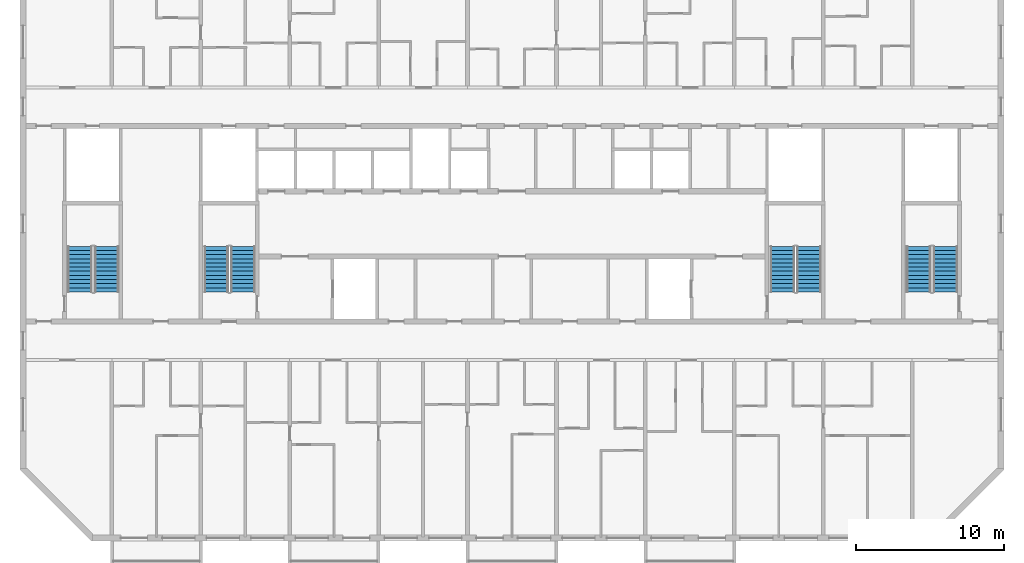
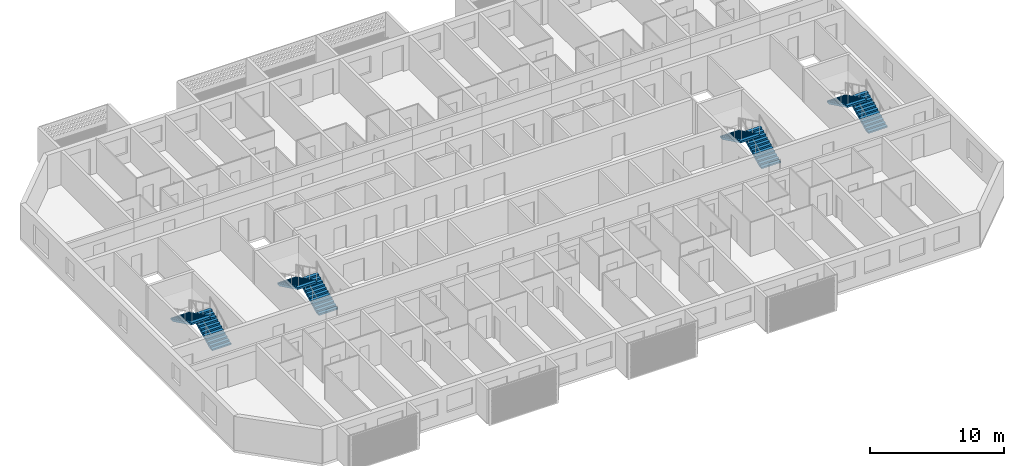
# One storey, part 12 of 29: 8 stair flights, 4 elements without a shape of their own.
"""IFC4 building model written with IfcOpenShell, lengths in metres."""

from ifc_helpers import new_model, si_unit, direction, frame, origin, place, context, subcontext, project, spatial, polyline, outline, extrude, material, layer, layer_set, type_object, element, aggregate, save


model = new_model("IFC4")

# Units and contexts
model_context = context("Model", 3, precision=1e-05, world=origin(), true_north=direction((0.0, 1.0)))
body_context = subcontext(model_context, "Body", "Model", "MODEL_VIEW")
ifc_project = project(units=[si_unit("LENGTHUNIT", "METRE"), si_unit("AREAUNIT", "SQUARE_METRE"), si_unit("VOLUMEUNIT", "CUBIC_METRE"), si_unit("PLANEANGLEUNIT", "RADIAN"), si_unit("MASSUNIT", "GRAM", prefix="KILO")], contexts=[model_context])

# Site, building, storey
site_placement = place(None, origin())
site = spatial("IfcSite", under=ifc_project, at=site_placement, CompositionType="ELEMENT")
building_placement = place(site_placement, origin())
building = spatial("IfcBuilding", under=site, at=building_placement, Name="Poui Terraces", CompositionType="ELEMENT")
storey_placement = place(building_placement, frame((0.0, 0.0, 231.300048828125)))
storey = spatial("IfcBuildingStorey", under=building, at=storey_placement, Name="L64", CompositionType="ELEMENT", Elevation=231.300048828125)

# Stair, stair flights
ifc_material = material(Name="Concrete 50 MPa", Category="concrete")
stair_type = type_object("IfcStairType", Name="EXIT STAIR 1650 50 MPA", PredefinedType="HALF_TURN_STAIR", material=ifc_material)
stair_1_placement = place(storey_placement, origin())
stair_1 = element("IfcStair", 1, at=stair_1_placement, inside=storey, type_object=stair_type, Name="L64 CORE STAIR EAST", PredefinedType="HALF_TURN_STAIR")
ifc_layer = layer(ifc_material, 0.14990234375)
ifc_layer_set = layer_set([ifc_layer], Name="Concrete 50 MPa")
stair_flight_type = type_object("IfcStairFlightType", Name="STAIR FLIGHT 12 RISERS 138 RISE 50 MPA", PredefinedType="STRAIGHT", material=ifc_layer_set)
stair_flight_1_placement = place(storey_placement, frame((71.050048828125, 16.60009765625, 0.0), z_axis=(0.0, 0.0, 1.0), x_axis=(0.0, 1.0, 0.0)))
stair_flight_1 = element("IfcStairFlight", 2, at=stair_flight_1_placement, type_object=stair_flight_type, Name="ST-CE flight 1", NumberOfRisers=12, NumberOfTreads=11, PredefinedType="STRAIGHT", RiserHeight=0.1375, TreadLength=0.28, context=body_context, shape_type="SweptSolid", body=[
    extrude(outline(polyline([(0.0, 0.0), (0.0, 0.137451171875), (0.280029296875, 0.137451171875), (0.280029296875, 0.27490234375), (0.56005859375, 0.27490234375), (0.56005859375, 0.41259765625), (0.840087890625, 0.41259765625), (0.840087890625, 0.550048828125), (1.1201171875, 0.550048828125), (1.1201171875, 0.6875), (1.39990234375, 0.6875), (1.39990234375, 0.824951171875), (1.679931640625, 0.824951171875), (1.679931640625, 0.96240234375), (1.9599609375, 0.96240234375), (1.9599609375, 1.10009765625), (2.239990234375, 1.10009765625), (2.239990234375, 1.237548828125), (2.52001953125, 1.237548828125), (2.52001953125, 1.375), (2.800048828125, 1.375), (2.800048828125, 1.512451171875), (3.080078125, 1.512451171875), (3.080078125, 1.64990234375), (3.080078125, 1.345458984375), (0.340087890625, 0.0), (0.0, 0.0)])), frame((0.0, 0.824951171875, 0.0), z_axis=(0.0, -1.0, 0.0), x_axis=(1.0, 0.0, 0.0)), (0.0, 0.0, 1.0), 1.64990234375),
])
stair_flight_2_placement = place(storey_placement, frame((69.25, 19.679931640625, 1.64990234375), z_axis=(0.0, 0.0, 1.0), x_axis=(0.0, -1.0, 0.0)))
stair_flight_2 = element("IfcStairFlight", 3, at=stair_flight_2_placement, type_object=stair_flight_type, Name="ST-CE flight 2", NumberOfRisers=12, NumberOfTreads=11, PredefinedType="STRAIGHT", RiserHeight=0.1375, TreadLength=0.28, context=body_context, shape_type="SweptSolid", body=[
    extrude(outline(polyline([(0.0, 0.0), (0.0, 0.137451171875), (0.280029296875, 0.137451171875), (0.280029296875, 0.27490234375), (0.56005859375, 0.27490234375), (0.56005859375, 0.41259765625), (0.840087890625, 0.41259765625), (0.840087890625, 0.550048828125), (1.1201171875, 0.550048828125), (1.1201171875, 0.6875), (1.39990234375, 0.6875), (1.39990234375, 0.824951171875), (1.679931640625, 0.824951171875), (1.679931640625, 0.96240234375), (1.9599609375, 0.96240234375), (1.9599609375, 1.10009765625), (2.239990234375, 1.10009765625), (2.239990234375, 1.237548828125), (2.52001953125, 1.237548828125), (2.52001953125, 1.375), (2.800048828125, 1.375), (2.800048828125, 1.512451171875), (3.080078125, 1.512451171875), (3.080078125, 1.64990234375), (3.080078125, 1.345458984375), (0.340087890625, 0.0), (0.0, 0.0)])), frame((0.0, 0.824951171875, 0.0), z_axis=(0.0, -1.0, 0.0), x_axis=(1.0, 0.0, 0.0)), (0.0, 0.0, 1.0), 1.64990234375),
])
aggregate(stair_1, [stair_flight_1, stair_flight_2])

stair_2_placement = place(storey_placement, origin())
stair_2 = element("IfcStair", 4, at=stair_2_placement, inside=storey, type_object=stair_type, Name="L64 CORE STAIR WEST", PredefinedType="HALF_TURN_STAIR")
stair_flight_3_placement = place(storey_placement, frame((32.85009765625, 16.60009765625, 0.0), z_axis=(0.0, 0.0, 1.0), x_axis=(0.0, 1.0, 0.0)))
stair_flight_3 = element("IfcStairFlight", 5, at=stair_flight_3_placement, type_object=stair_flight_type, Name="ST-CW flight 1", NumberOfRisers=12, NumberOfTreads=11, PredefinedType="STRAIGHT", RiserHeight=0.1375, TreadLength=0.28, context=body_context, shape_type="SweptSolid", body=[
    extrude(outline(polyline([(0.0, 0.0), (0.0, 0.137451171875), (0.280029296875, 0.137451171875), (0.280029296875, 0.27490234375), (0.56005859375, 0.27490234375), (0.56005859375, 0.41259765625), (0.840087890625, 0.41259765625), (0.840087890625, 0.550048828125), (1.1201171875, 0.550048828125), (1.1201171875, 0.6875), (1.39990234375, 0.6875), (1.39990234375, 0.824951171875), (1.679931640625, 0.824951171875), (1.679931640625, 0.96240234375), (1.9599609375, 0.96240234375), (1.9599609375, 1.10009765625), (2.239990234375, 1.10009765625), (2.239990234375, 1.237548828125), (2.52001953125, 1.237548828125), (2.52001953125, 1.375), (2.800048828125, 1.375), (2.800048828125, 1.512451171875), (3.080078125, 1.512451171875), (3.080078125, 1.64990234375), (3.080078125, 1.345458984375), (0.340087890625, 0.0), (0.0, 0.0)])), frame((0.0, 0.824951171875, 0.0), z_axis=(0.0, -1.0, 0.0), x_axis=(1.0, 0.0, 0.0)), (0.0, 0.0, 1.0), 1.64990234375),
])
stair_flight_4_placement = place(storey_placement, frame((31.050048828125, 19.679931640625, 1.64990234375), z_axis=(0.0, 0.0, 1.0), x_axis=(0.0, -1.0, 0.0)))
stair_flight_4 = element("IfcStairFlight", 6, at=stair_flight_4_placement, type_object=stair_flight_type, Name="ST-CW flight 2", NumberOfRisers=12, NumberOfTreads=11, PredefinedType="STRAIGHT", RiserHeight=0.1375, TreadLength=0.28, context=body_context, shape_type="SweptSolid", body=[
    extrude(outline(polyline([(0.0, 0.0), (0.0, 0.137451171875), (0.280029296875, 0.137451171875), (0.280029296875, 0.27490234375), (0.56005859375, 0.27490234375), (0.56005859375, 0.41259765625), (0.840087890625, 0.41259765625), (0.840087890625, 0.550048828125), (1.1201171875, 0.550048828125), (1.1201171875, 0.6875), (1.39990234375, 0.6875), (1.39990234375, 0.824951171875), (1.679931640625, 0.824951171875), (1.679931640625, 0.96240234375), (1.9599609375, 0.96240234375), (1.9599609375, 1.10009765625), (2.239990234375, 1.10009765625), (2.239990234375, 1.237548828125), (2.52001953125, 1.237548828125), (2.52001953125, 1.375), (2.800048828125, 1.375), (2.800048828125, 1.512451171875), (3.080078125, 1.512451171875), (3.080078125, 1.64990234375), (3.080078125, 1.345458984375), (0.340087890625, 0.0), (0.0, 0.0)])), frame((0.0, 0.824951171875, 0.0), z_axis=(0.0, -1.0, 0.0), x_axis=(1.0, 0.0, 0.0)), (0.0, 0.0, 1.0), 1.64990234375),
])
aggregate(stair_2, [stair_flight_3, stair_flight_4])

stair_3_placement = place(storey_placement, origin())
stair_3 = element("IfcStair", 7, at=stair_3_placement, inside=storey, type_object=stair_type, Name="L64 TIP STAIR EAST", PredefinedType="HALF_TURN_STAIR")
stair_flight_5_placement = place(storey_placement, frame((80.25, 16.60009765625, 0.0), z_axis=(0.0, 0.0, 1.0), x_axis=(0.0, 1.0, 0.0)))
stair_flight_5 = element("IfcStairFlight", 8, at=stair_flight_5_placement, type_object=stair_flight_type, Name="ST-E flight 1", NumberOfRisers=12, NumberOfTreads=11, PredefinedType="STRAIGHT", RiserHeight=0.1375, TreadLength=0.28, context=body_context, shape_type="SweptSolid", body=[
    extrude(outline(polyline([(0.0, 0.0), (0.0, 0.137451171875), (0.280029296875, 0.137451171875), (0.280029296875, 0.27490234375), (0.56005859375, 0.27490234375), (0.56005859375, 0.41259765625), (0.840087890625, 0.41259765625), (0.840087890625, 0.550048828125), (1.1201171875, 0.550048828125), (1.1201171875, 0.6875), (1.39990234375, 0.6875), (1.39990234375, 0.824951171875), (1.679931640625, 0.824951171875), (1.679931640625, 0.96240234375), (1.9599609375, 0.96240234375), (1.9599609375, 1.10009765625), (2.239990234375, 1.10009765625), (2.239990234375, 1.237548828125), (2.52001953125, 1.237548828125), (2.52001953125, 1.375), (2.800048828125, 1.375), (2.800048828125, 1.512451171875), (3.080078125, 1.512451171875), (3.080078125, 1.64990234375), (3.080078125, 1.345458984375), (0.340087890625, 0.0), (0.0, 0.0)])), frame((0.0, 0.824951171875, 0.0), z_axis=(0.0, -1.0, 0.0), x_axis=(1.0, 0.0, 0.0)), (0.0, 0.0, 1.0), 1.64990234375),
])
stair_flight_6_placement = place(storey_placement, frame((78.449951171875, 19.679931640625, 1.64990234375), z_axis=(0.0, 0.0, 1.0), x_axis=(0.0, -1.0, 0.0)))
stair_flight_6 = element("IfcStairFlight", 9, at=stair_flight_6_placement, type_object=stair_flight_type, Name="ST-E flight 2", NumberOfRisers=12, NumberOfTreads=11, PredefinedType="STRAIGHT", RiserHeight=0.1375, TreadLength=0.28, context=body_context, shape_type="SweptSolid", body=[
    extrude(outline(polyline([(0.0, 0.0), (0.0, 0.137451171875), (0.280029296875, 0.137451171875), (0.280029296875, 0.27490234375), (0.56005859375, 0.27490234375), (0.56005859375, 0.41259765625), (0.840087890625, 0.41259765625), (0.840087890625, 0.550048828125), (1.1201171875, 0.550048828125), (1.1201171875, 0.6875), (1.39990234375, 0.6875), (1.39990234375, 0.824951171875), (1.679931640625, 0.824951171875), (1.679931640625, 0.96240234375), (1.9599609375, 0.96240234375), (1.9599609375, 1.10009765625), (2.239990234375, 1.10009765625), (2.239990234375, 1.237548828125), (2.52001953125, 1.237548828125), (2.52001953125, 1.375), (2.800048828125, 1.375), (2.800048828125, 1.512451171875), (3.080078125, 1.512451171875), (3.080078125, 1.64990234375), (3.080078125, 1.345458984375), (0.340087890625, 0.0), (0.0, 0.0)])), frame((0.0, 0.824951171875, 0.0), z_axis=(0.0, -1.0, 0.0), x_axis=(1.0, 0.0, 0.0)), (0.0, 0.0, 1.0), 1.64990234375),
])
aggregate(stair_3, [stair_flight_5, stair_flight_6])

stair_4_placement = place(storey_placement, origin())
stair_4 = element("IfcStair", 10, at=stair_4_placement, inside=storey, type_object=stair_type, Name="L64 TIP STAIR WEST", PredefinedType="HALF_TURN_STAIR")
stair_flight_7_placement = place(storey_placement, frame((23.64990234375, 16.60009765625, 0.0), z_axis=(0.0, 0.0, 1.0), x_axis=(0.0, 1.0, 0.0)))
stair_flight_7 = element("IfcStairFlight", 11, at=stair_flight_7_placement, type_object=stair_flight_type, Name="ST-W flight 1", NumberOfRisers=12, NumberOfTreads=11, PredefinedType="STRAIGHT", RiserHeight=0.1375, TreadLength=0.28, context=body_context, shape_type="SweptSolid", body=[
    extrude(outline(polyline([(0.0, 0.0), (0.0, 0.137451171875), (0.280029296875, 0.137451171875), (0.280029296875, 0.27490234375), (0.56005859375, 0.27490234375), (0.56005859375, 0.41259765625), (0.840087890625, 0.41259765625), (0.840087890625, 0.550048828125), (1.1201171875, 0.550048828125), (1.1201171875, 0.6875), (1.39990234375, 0.6875), (1.39990234375, 0.824951171875), (1.679931640625, 0.824951171875), (1.679931640625, 0.96240234375), (1.9599609375, 0.96240234375), (1.9599609375, 1.10009765625), (2.239990234375, 1.10009765625), (2.239990234375, 1.237548828125), (2.52001953125, 1.237548828125), (2.52001953125, 1.375), (2.800048828125, 1.375), (2.800048828125, 1.512451171875), (3.080078125, 1.512451171875), (3.080078125, 1.64990234375), (3.080078125, 1.345458984375), (0.340087890625, 0.0), (0.0, 0.0)])), frame((0.0, 0.824951171875, 0.0), z_axis=(0.0, -1.0, 0.0), x_axis=(1.0, 0.0, 0.0)), (0.0, 0.0, 1.0), 1.64990234375),
])
stair_flight_8_placement = place(storey_placement, frame((21.85009765625, 19.679931640625, 1.64990234375), z_axis=(0.0, 0.0, 1.0), x_axis=(0.0, -1.0, 0.0)))
stair_flight_8 = element("IfcStairFlight", 12, at=stair_flight_8_placement, type_object=stair_flight_type, Name="ST-W flight 2", NumberOfRisers=12, NumberOfTreads=11, PredefinedType="STRAIGHT", RiserHeight=0.1375, TreadLength=0.28, context=body_context, shape_type="SweptSolid", body=[
    extrude(outline(polyline([(0.0, 0.0), (0.0, 0.137451171875), (0.280029296875, 0.137451171875), (0.280029296875, 0.27490234375), (0.56005859375, 0.27490234375), (0.56005859375, 0.41259765625), (0.840087890625, 0.41259765625), (0.840087890625, 0.550048828125), (1.1201171875, 0.550048828125), (1.1201171875, 0.6875), (1.39990234375, 0.6875), (1.39990234375, 0.824951171875), (1.679931640625, 0.824951171875), (1.679931640625, 0.96240234375), (1.9599609375, 0.96240234375), (1.9599609375, 1.10009765625), (2.239990234375, 1.10009765625), (2.239990234375, 1.237548828125), (2.52001953125, 1.237548828125), (2.52001953125, 1.375), (2.800048828125, 1.375), (2.800048828125, 1.512451171875), (3.080078125, 1.512451171875), (3.080078125, 1.64990234375), (3.080078125, 1.345458984375), (0.340087890625, 0.0), (0.0, 0.0)])), frame((0.0, 0.824951171875, 0.0), z_axis=(0.0, -1.0, 0.0), x_axis=(1.0, 0.0, 0.0)), (0.0, 0.0, 1.0), 1.64990234375),
])
aggregate(stair_4, [stair_flight_7, stair_flight_8])

save(model, "model.ifc")
